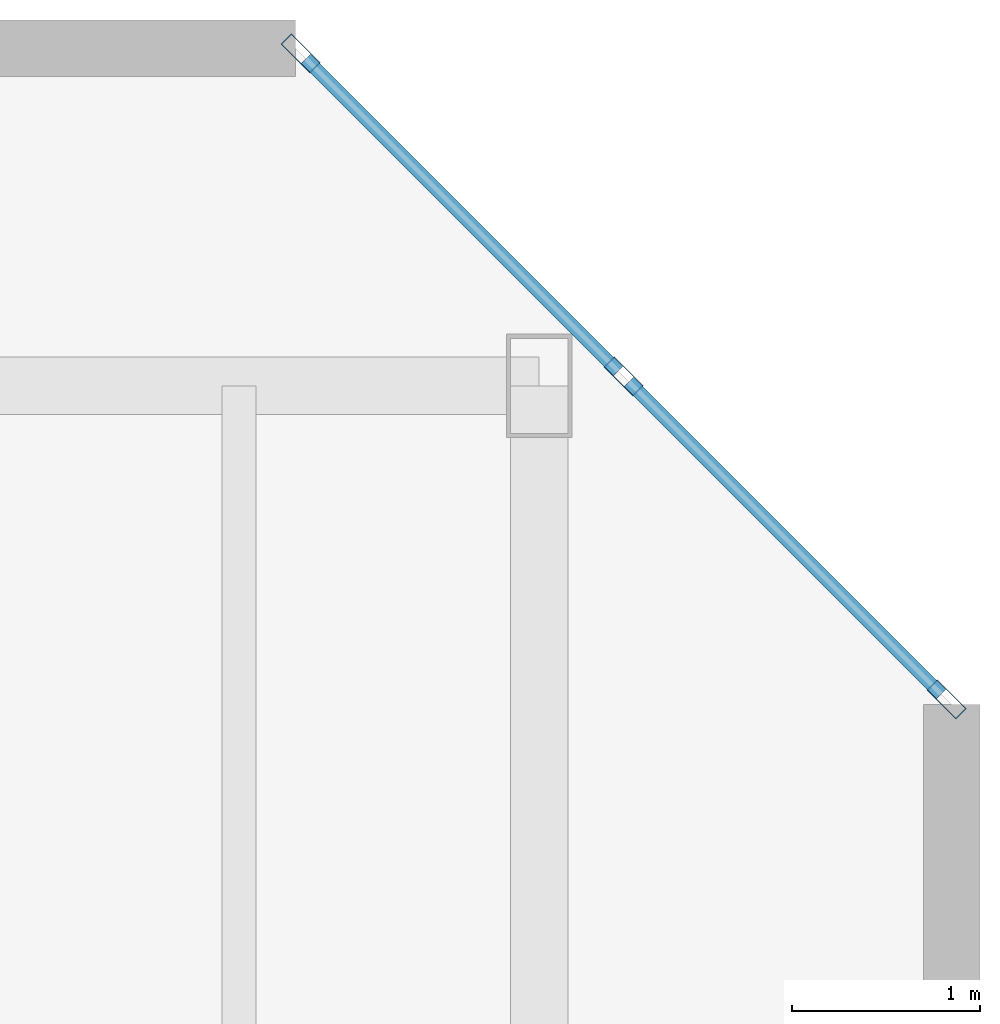
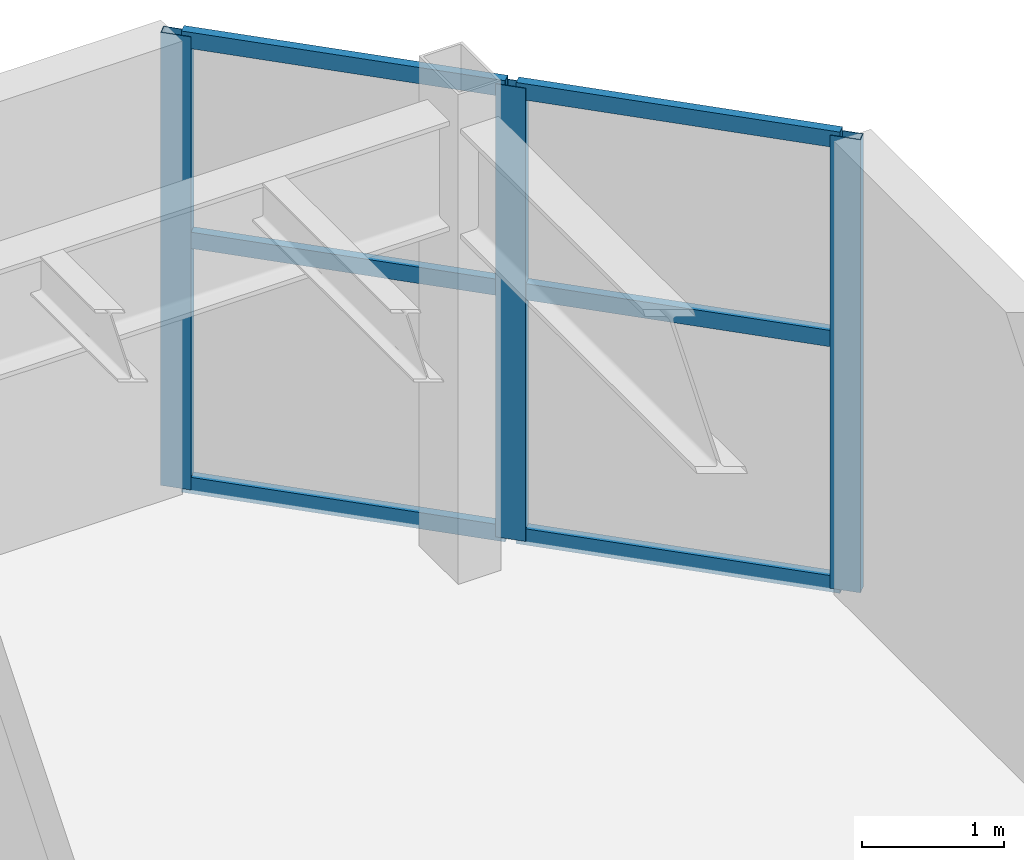
# One storey, part 9 of 20: 9 members, 1 element without a shape of its own.
"""IFC4 building model written with IfcOpenShell, lengths in metres."""

from ifc_helpers import new_model, si_unit, direction, frame, origin, origin_2d, place, context, subcontext, project, spatial, hollow_rectangle, extrude, material, layer, layer_set, material_profile, profile_set, type_object, element, aggregate, save


model = new_model("IFC4")

# Units and contexts
model_context = context("Model", 3, precision=1e-05, world=origin(), true_north=direction((0.0, 1.0)))
body_context = subcontext(model_context, "Body", "Model", "MODEL_VIEW")
ifc_project = project(units=[si_unit("LENGTHUNIT", "METRE"), si_unit("AREAUNIT", "SQUARE_METRE"), si_unit("VOLUMEUNIT", "CUBIC_METRE"), si_unit("PLANEANGLEUNIT", "RADIAN"), si_unit("MASSUNIT", "GRAM", prefix="KILO")], contexts=[model_context])

# Site, building, storey
site_placement = place(None, origin())
site = spatial("IfcSite", under=ifc_project, at=site_placement, CompositionType="ELEMENT")
building_placement = place(site_placement, origin())
building = spatial("IfcBuilding", under=site, at=building_placement, Name="Cununo Teusaquillo Station Towers", CompositionType="ELEMENT")
storey_placement = place(building_placement, frame((0.0, 0.0, 9.0)))
storey = spatial("IfcBuildingStorey", under=building, at=storey_placement, Name="L02", CompositionType="ELEMENT", Elevation=9.0)

# Curtain wall, members
ifc_material_1 = material(Name="Ceramic-fritted dark low-E double glazing", Category="glass")
ifc_layer = layer(ifc_material_1, 0.179931640625)
ifc_layer_set = layer_set([ifc_layer], Name="Ceramic-fritted dark low-E double glazing")
curtain_wall_type = type_object("IfcCurtainWallType", Name="CW-SYS-01", PredefinedType="USERDEFINED", material=ifc_layer_set)
curtain_wall_placement = place(storey_placement, origin())
curtain_wall = element("IfcCurtainWall", 1, at=curtain_wall_placement, inside=storey, type_object=curtain_wall_type, Name="L02 Station Podium Corner Curtain Wall 4", ObjectType="FRITTED GLAZING", PredefinedType="USERDEFINED")
ifc_material_2 = material(Name="Anodised dark bronze aluminium EN AW-6063-T6", Category="aluminium")
ifc_material_profile_1 = material_profile(ifc_material_2, hollow_rectangle(XDim=0.080078125, YDim=0.219970703125, WallThickness=0.0048828125, at=origin_2d()), Name="CW-MULL-80x220")
ifc_profile_set_1 = profile_set([ifc_material_profile_1], Name="Anodised dark bronze aluminium EN AW-6063-T6")
member_type_1 = type_object("IfcMemberType", Name="CWM-220", PredefinedType="MULLION", material=ifc_profile_set_1)
member_1_placement = place(storey_placement, frame((78.328369140625, 47.9716796875, 0.0), z_axis=(0.0, 0.0, 1.0), x_axis=(0.707106781187, 0.707106781187, 0.0)))
member_1 = element("IfcMember", 2, at=member_1_placement, type_object=member_type_1, Name="CW-01 mullion 1", PredefinedType="MULLION", context=body_context, shape_type="SweptSolid", body=[
    extrude(hollow_rectangle(XDim=0.080078125, YDim=0.219970703125, WallThickness=0.0048828125, at=origin_2d()), origin(), (0.0, 0.0, 1.0), 3.885009765625),
])
member_2_placement = place(storey_placement, frame((80.050048828125, 46.25, 0.0), z_axis=(0.0, 0.0, 1.0), x_axis=(0.707106781187, 0.707106781187, 0.0)))
member_2 = element("IfcMember", 3, at=member_2_placement, type_object=member_type_1, Name="CW-01 mullion 2", PredefinedType="MULLION", context=body_context, shape_type="SweptSolid", body=[
    extrude(hollow_rectangle(XDim=0.080078125, YDim=0.219970703125, WallThickness=0.0048828125, at=origin_2d()), origin(), (0.0, 0.0, 1.0), 3.885009765625),
])
member_3_placement = place(storey_placement, frame((81.771728515625, 44.5283203125, 0.0), z_axis=(0.0, 0.0, 1.0), x_axis=(0.707106781187, 0.707106781187, 0.0)))
member_3 = element("IfcMember", 4, at=member_3_placement, type_object=member_type_1, Name="CW-01 mullion 3", PredefinedType="MULLION", context=body_context, shape_type="SweptSolid", body=[
    extrude(hollow_rectangle(XDim=0.080078125, YDim=0.219970703125, WallThickness=0.0048828125, at=origin_2d()), origin(), (0.0, 0.0, 1.0), 3.885009765625),
])
ifc_material_3 = material(Name="Anodised dark bronze aluminium EN AW-6063-T6", Category="aluminium")
ifc_material_profile_2 = material_profile(ifc_material_3, hollow_rectangle(XDim=0.070068359375, YDim=0.139892578125, WallThickness=0.00390625, at=origin_2d()), Name="CW-TRAN-70x140")
ifc_profile_set_2 = profile_set([ifc_material_profile_2], Name="Anodised dark bronze aluminium EN AW-6063-T6")
member_type_2 = type_object("IfcMemberType", Name="CWT-140", PredefinedType="USERDEFINED", material=ifc_profile_set_2)
member_4_placement = place(storey_placement, frame((78.356689453125, 47.943359375, 0.034912109375), z_axis=(0.707106781187, -0.707106781187, 0.0), x_axis=(0.707106781187, 0.707106781187, 0.0)))
member_4 = element("IfcMember", 5, at=member_4_placement, type_object=member_type_2, Name="CW-01 transom 1.1", ObjectType="TRANSOM", PredefinedType="USERDEFINED", context=body_context, shape_type="SweptSolid", body=[
    extrude(hollow_rectangle(XDim=0.070068359375, YDim=0.139892578125, WallThickness=0.00390625, at=origin_2d()), origin(), (0.0, 0.0, 1.0), 2.354736328125),
])
member_5_placement = place(storey_placement, frame((78.356689453125, 47.943359375, 2.136962890625), z_axis=(0.707106781187, -0.707106781187, 0.0), x_axis=(0.707106781187, 0.707106781187, 0.0)))
member_5 = element("IfcMember", 6, at=member_5_placement, type_object=member_type_2, Name="CW-01 transom 1.2", ObjectType="TRANSOM", PredefinedType="USERDEFINED", context=body_context, shape_type="SweptSolid", body=[
    extrude(hollow_rectangle(XDim=0.070068359375, YDim=0.139892578125, WallThickness=0.00390625, at=origin_2d()), origin(), (0.0, 0.0, 1.0), 2.354736328125),
])
member_6_placement = place(storey_placement, frame((78.356689453125, 47.943359375, 3.85009765625), z_axis=(0.707106781187, -0.707106781187, 0.0), x_axis=(0.707106781187, 0.707106781187, 0.0)))
member_6 = element("IfcMember", 7, at=member_6_placement, type_object=member_type_2, Name="CW-01 transom 1.3", ObjectType="TRANSOM", PredefinedType="USERDEFINED", context=body_context, shape_type="SweptSolid", body=[
    extrude(hollow_rectangle(XDim=0.070068359375, YDim=0.139892578125, WallThickness=0.00390625, at=origin_2d()), origin(), (0.0, 0.0, 1.0), 2.354736328125),
])
member_7_placement = place(storey_placement, frame((80.078369140625, 46.2216796875, 0.034912109375), z_axis=(0.707106781187, -0.707106781187, 0.0), x_axis=(0.707106781187, 0.707106781187, 0.0)))
member_7 = element("IfcMember", 8, at=member_7_placement, type_object=member_type_2, Name="CW-01 transom 2.1", ObjectType="TRANSOM", PredefinedType="USERDEFINED", context=body_context, shape_type="SweptSolid", body=[
    extrude(hollow_rectangle(XDim=0.070068359375, YDim=0.139892578125, WallThickness=0.00390625, at=origin_2d()), origin(), (0.0, 0.0, 1.0), 2.354736328125),
])
member_8_placement = place(storey_placement, frame((80.078369140625, 46.2216796875, 2.136962890625), z_axis=(0.707106781187, -0.707106781187, 0.0), x_axis=(0.707106781187, 0.707106781187, 0.0)))
member_8 = element("IfcMember", 9, at=member_8_placement, type_object=member_type_2, Name="CW-01 transom 2.2", ObjectType="TRANSOM", PredefinedType="USERDEFINED", context=body_context, shape_type="SweptSolid", body=[
    extrude(hollow_rectangle(XDim=0.070068359375, YDim=0.139892578125, WallThickness=0.00390625, at=origin_2d()), origin(), (0.0, 0.0, 1.0), 2.354736328125),
])
member_9_placement = place(storey_placement, frame((80.078369140625, 46.2216796875, 3.85009765625), z_axis=(0.707106781187, -0.707106781187, 0.0), x_axis=(0.707106781187, 0.707106781187, 0.0)))
member_9 = element("IfcMember", 10, at=member_9_placement, type_object=member_type_2, Name="CW-01 transom 2.3", ObjectType="TRANSOM", PredefinedType="USERDEFINED", context=body_context, shape_type="SweptSolid", body=[
    extrude(hollow_rectangle(XDim=0.070068359375, YDim=0.139892578125, WallThickness=0.00390625, at=origin_2d()), origin(), (0.0, 0.0, 1.0), 2.354736328125),
])
aggregate(curtain_wall, [member_1, member_2, member_3, member_4, member_5, member_6, member_7, member_8, member_9])

save(model, "model.ifc")
